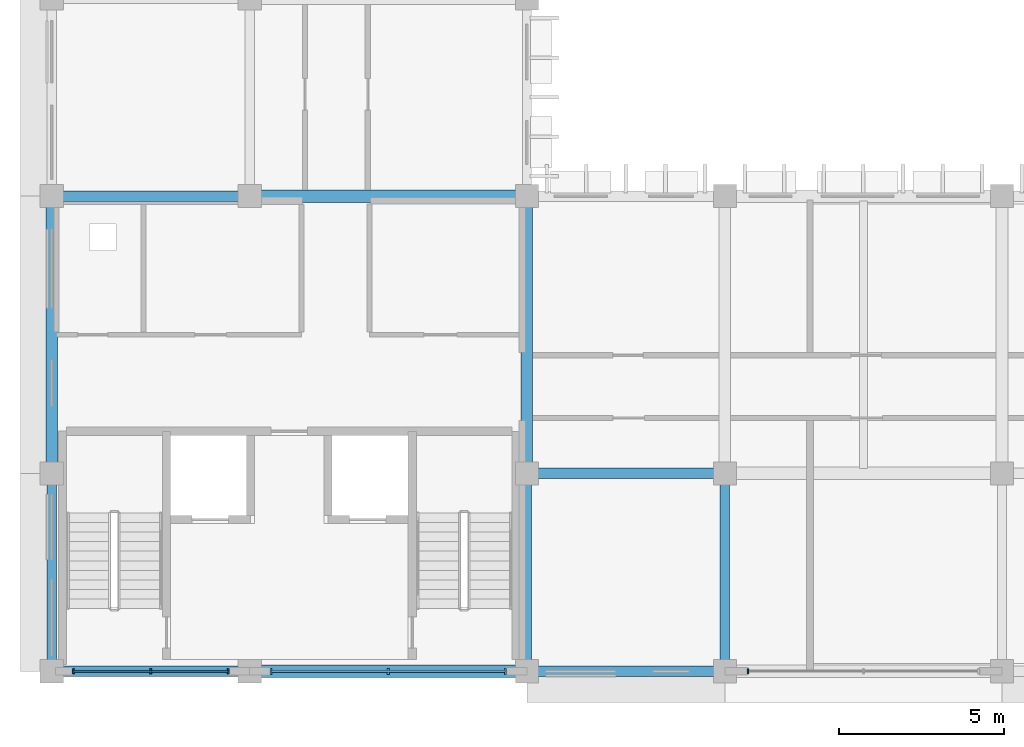
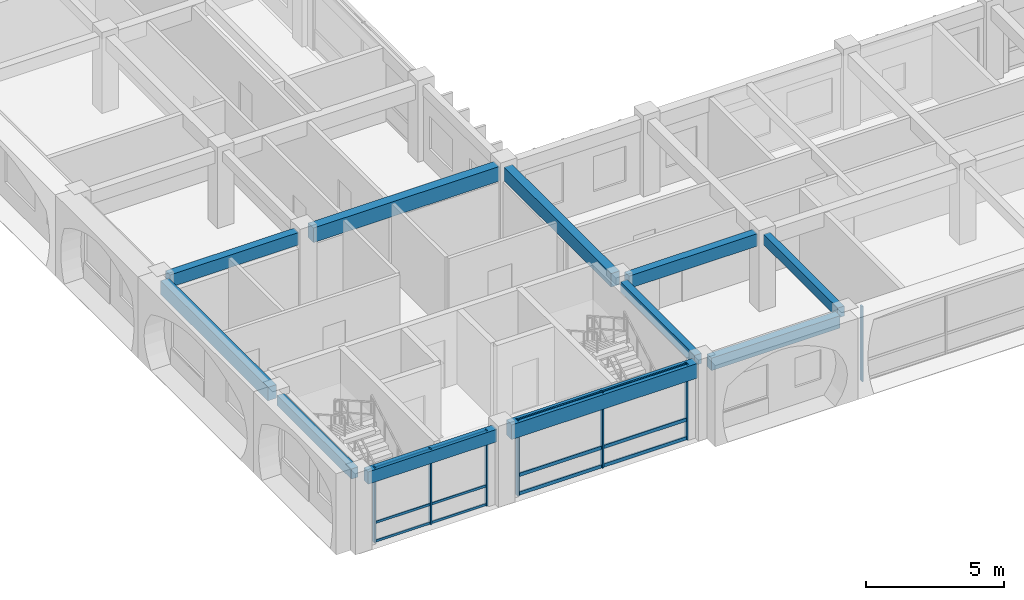
# One storey, part 12 of 88: 13 members, 11 beams, 3 elements without a shape of their own.
"""IFC4 building model written with IfcOpenShell, lengths in metres."""

from ifc_helpers import new_model, si_unit, direction, frame, origin, origin_2d, place, context, subcontext, project, spatial, rectangle, extrude, material, material_profile, profile_set, type_object, element, aggregate, save


model = new_model("IFC4")

# Units and contexts
model_context = context("Model", 3, precision=1e-05, world=origin(), true_north=direction((0.0, 1.0)))
body_context = subcontext(model_context, "Body", "Model", "MODEL_VIEW")
ifc_project = project(units=[si_unit("LENGTHUNIT", "METRE"), si_unit("AREAUNIT", "SQUARE_METRE"), si_unit("VOLUMEUNIT", "CUBIC_METRE"), si_unit("PLANEANGLEUNIT", "RADIAN"), si_unit("MASSUNIT", "GRAM", prefix="KILO"), si_unit("THERMODYNAMICTEMPERATUREUNIT", "KELVIN")], contexts=[model_context])

# Site, building, storey
site_placement = place(None, origin())
site = spatial("IfcSite", under=ifc_project, at=site_placement, CompositionType="ELEMENT")
building_placement = place(site_placement, origin())
building = spatial("IfcBuilding", under=site, at=building_placement, Name="Thalorik Housing Commons", CompositionType="ELEMENT")
storey_placement = place(building_placement, frame((0.0, 0.0, 4.5)))
storey = spatial("IfcBuildingStorey", under=building, at=storey_placement, Name="L01", CompositionType="ELEMENT", Elevation=4.5)

# Curtain wall, members
ifc_material_1 = material(Name="Anodised aluminium and solar-control low-E glass", Category="aluminium")
curtain_wall_type_1 = type_object("IfcCurtainWallType", Name="ARC-CW-CORE", PredefinedType="USERDEFINED", material=ifc_material_1)
curtain_wall_1_placement = place(storey_placement, origin())
curtain_wall_1 = element("IfcCurtainWall", 1, at=curtain_wall_1_placement, inside=storey, type_object=curtain_wall_type_1, Name="L01 Curtain Wall CW-CORE-L01-C-130", ObjectType="CURTAIN WALL", PredefinedType="USERDEFINED")
ifc_material_2 = material(Name="Anodised aluminium 6063-T6", Category="aluminium")
ifc_material_profile_1 = material_profile(ifc_material_2, rectangle(XDim=0.054931640625, YDim=0.139892578125, at=origin_2d()), Name="ALU MUL 55x140", Category="aluminium")
ifc_profile_set_1 = profile_set([ifc_material_profile_1], Name="Anodised aluminium 6063-T6")
member_type_1 = type_object("IfcMemberType", Name="ARC-CW-MUL-55x140", PredefinedType="MULLION", material=ifc_profile_set_1)
member_1_placement = place(storey_placement, frame((9.050048828125, 8.39990234375, 0.0), z_axis=(0.0, 0.0, 1.0), x_axis=(1.0, 0.0, 0.0)))
member_1 = element("IfcMember", 2, at=member_1_placement, type_object=member_type_1, Name="CW-CORE-L01-C-130 Mullion 1", PredefinedType="MULLION", context=body_context, shape_type="SweptSolid", body=[
    extrude(rectangle(XDim=0.054931640625, YDim=0.139892578125, at=origin_2d()), origin(), (0.0, 0.0, 1.0), 3.340087890625),
])
member_2_placement = place(storey_placement, frame((11.39990234375, 8.39990234375, 0.0), z_axis=(0.0, 0.0, 1.0), x_axis=(1.0, 0.0, 0.0)))
member_2 = element("IfcMember", 3, at=member_2_placement, type_object=member_type_1, Name="CW-CORE-L01-C-130 Mullion 2", PredefinedType="MULLION", context=body_context, shape_type="SweptSolid", body=[
    extrude(rectangle(XDim=0.054931640625, YDim=0.139892578125, at=origin_2d()), origin(), (0.0, 0.0, 1.0), 3.340087890625),
])
member_3_placement = place(storey_placement, frame((13.75, 8.39990234375, 0.0), z_axis=(0.0, 0.0, 1.0), x_axis=(1.0, 0.0, 0.0)))
member_3 = element("IfcMember", 4, at=member_3_placement, type_object=member_type_1, Name="CW-CORE-L01-C-130 Mullion 3", PredefinedType="MULLION", context=body_context, shape_type="SweptSolid", body=[
    extrude(rectangle(XDim=0.054931640625, YDim=0.139892578125, at=origin_2d()), origin(), (0.0, 0.0, 1.0), 3.340087890625),
])

# Curtain wall, member
curtain_wall_type_2 = type_object("IfcCurtainWallType", Name="ARC-CW-LOUNGE", PredefinedType="USERDEFINED", material=ifc_material_1)
curtain_wall_2_placement = place(storey_placement, origin())
curtain_wall_2 = element("IfcCurtainWall", 5, at=curtain_wall_2_placement, inside=storey, type_object=curtain_wall_type_2, Name="L01 Curtain Wall CW-RES-L01-C-132", ObjectType="CURTAIN WALL", PredefinedType="USERDEFINED")
member_4_placement = place(storey_placement, frame((29.5, 8.39990234375, 0.0), z_axis=(0.0, 0.0, 1.0), x_axis=(1.0, 0.0, 0.0)))
member_4 = element("IfcMember", 6, at=member_4_placement, type_object=member_type_1, Name="CW-RES-L01-C-132 Mullion 1", PredefinedType="MULLION", context=body_context, shape_type="SweptSolid", body=[
    extrude(rectangle(XDim=0.054931640625, YDim=0.139892578125, at=origin_2d()), origin(), (0.0, 0.0, 1.0), 3.340087890625),
])
aggregate(curtain_wall_2, [member_4])

# Curtain wall, members
curtain_wall_3_placement = place(storey_placement, origin())
curtain_wall_3 = element("IfcCurtainWall", 7, at=curtain_wall_3_placement, inside=storey, type_object=curtain_wall_type_1, Name="L01 Curtain Wall CW-CORE-L01-C-131", ObjectType="CURTAIN WALL", PredefinedType="USERDEFINED")
ifc_material_profile_2 = material_profile(ifc_material_2, rectangle(XDim=0.06494140625, YDim=0.179931640625, at=origin_2d()), Name="ALU MUL 65x180", Category="aluminium")
ifc_profile_set_2 = profile_set([ifc_material_profile_2], Name="Anodised aluminium 6063-T6")
member_type_2 = type_object("IfcMemberType", Name="ARC-CW-MUL-65x180", PredefinedType="MULLION", material=ifc_profile_set_2)
member_5_placement = place(storey_placement, frame((15.050048828125, 8.39990234375, 0.0), z_axis=(0.0, 0.0, 1.0), x_axis=(1.0, 0.0, 0.0)))
member_5 = element("IfcMember", 8, at=member_5_placement, type_object=member_type_2, Name="CW-CORE-L01-C-131 Mullion 1", PredefinedType="MULLION", context=body_context, shape_type="SweptSolid", body=[
    extrude(rectangle(XDim=0.06494140625, YDim=0.179931640625, at=origin_2d()), origin(), (0.0, 0.0, 1.0), 3.340087890625),
])
member_6_placement = place(storey_placement, frame((18.60009765625, 8.39990234375, 0.0), z_axis=(0.0, 0.0, 1.0), x_axis=(1.0, 0.0, 0.0)))
member_6 = element("IfcMember", 9, at=member_6_placement, type_object=member_type_2, Name="CW-CORE-L01-C-131 Mullion 2", PredefinedType="MULLION", context=body_context, shape_type="SweptSolid", body=[
    extrude(rectangle(XDim=0.06494140625, YDim=0.179931640625, at=origin_2d()), origin(), (0.0, 0.0, 1.0), 3.340087890625),
])
member_7_placement = place(storey_placement, frame((22.14990234375, 8.39990234375, 0.0), z_axis=(0.0, 0.0, 1.0), x_axis=(1.0, 0.0, 0.0)))
member_7 = element("IfcMember", 10, at=member_7_placement, type_object=member_type_2, Name="CW-CORE-L01-C-131 Mullion 3", PredefinedType="MULLION", context=body_context, shape_type="SweptSolid", body=[
    extrude(rectangle(XDim=0.06494140625, YDim=0.179931640625, at=origin_2d()), origin(), (0.0, 0.0, 1.0), 3.340087890625),
])

# Member
ifc_material_profile_3 = material_profile(ifc_material_2, rectangle(XDim=0.054931640625, YDim=0.10498046875, at=origin_2d()), Name="ALU TRN 55x105", Category="aluminium")
ifc_profile_set_3 = profile_set([ifc_material_profile_3], Name="Anodised aluminium 6063-T6")
member_type_3 = type_object("IfcMemberType", Name="ARC-CW-TRN-55x105", PredefinedType="USERDEFINED", material=ifc_profile_set_3)
member_8_placement = place(storey_placement, frame((9.050048828125, 8.39990234375, 0.054931640625), z_axis=(1.0, 0.0, 0.0), x_axis=(0.0, 1.0, 0.0)))
member_8 = element("IfcMember", 11, at=member_8_placement, type_object=member_type_3, Name="CW-CORE-L01-C-130 Transom 1", ObjectType="TRANSOM", PredefinedType="USERDEFINED", context=body_context, shape_type="SweptSolid", body=[
    extrude(rectangle(XDim=0.054931640625, YDim=0.10498046875, at=origin_2d()), origin(), (0.0, 0.0, 1.0), 4.699951171875),
])

member_9_placement = place(storey_placement, frame((9.050048828125, 8.39990234375, 0.8798828125), z_axis=(1.0, 0.0, 0.0), x_axis=(0.0, 1.0, 0.0)))
member_9 = element("IfcMember", 12, at=member_9_placement, type_object=member_type_3, Name="CW-CORE-L01-C-130 Transom 2", ObjectType="TRANSOM", PredefinedType="USERDEFINED", context=body_context, shape_type="SweptSolid", body=[
    extrude(rectangle(XDim=0.054931640625, YDim=0.10498046875, at=origin_2d()), origin(), (0.0, 0.0, 1.0), 4.699951171875),
])

member_10_placement = place(storey_placement, frame((9.050048828125, 8.39990234375, 3.284912109375), z_axis=(1.0, 0.0, 0.0), x_axis=(0.0, 1.0, 0.0)))
member_10 = element("IfcMember", 13, at=member_10_placement, type_object=member_type_3, Name="CW-CORE-L01-C-130 Transom 3", ObjectType="TRANSOM", PredefinedType="USERDEFINED", context=body_context, shape_type="SweptSolid", body=[
    extrude(rectangle(XDim=0.054931640625, YDim=0.10498046875, at=origin_2d()), origin(), (0.0, 0.0, 1.0), 4.699951171875),
])

aggregate(curtain_wall_1, [member_1, member_2, member_3, member_8, member_9, member_10])

ifc_material_profile_4 = material_profile(ifc_material_2, rectangle(XDim=0.06494140625, YDim=0.14990234375, at=origin_2d()), Name="ALU TRN 65x150", Category="aluminium")
ifc_profile_set_4 = profile_set([ifc_material_profile_4], Name="Anodised aluminium 6063-T6")
member_type_4 = type_object("IfcMemberType", Name="ARC-CW-TRN-65x150", PredefinedType="USERDEFINED", material=ifc_profile_set_4)
member_11_placement = place(storey_placement, frame((15.050048828125, 8.39990234375, 0.054931640625), z_axis=(1.0, 0.0, 0.0), x_axis=(0.0, 1.0, 0.0)))
member_11 = element("IfcMember", 14, at=member_11_placement, type_object=member_type_4, Name="CW-CORE-L01-C-131 Transom 1", ObjectType="TRANSOM", PredefinedType="USERDEFINED", context=body_context, shape_type="SweptSolid", body=[
    extrude(rectangle(XDim=0.06494140625, YDim=0.14990234375, at=origin_2d()), origin(), (0.0, 0.0, 1.0), 7.099853515625),
])

member_12_placement = place(storey_placement, frame((15.050048828125, 8.39990234375, 0.8798828125), z_axis=(1.0, 0.0, 0.0), x_axis=(0.0, 1.0, 0.0)))
member_12 = element("IfcMember", 15, at=member_12_placement, type_object=member_type_4, Name="CW-CORE-L01-C-131 Transom 2", ObjectType="TRANSOM", PredefinedType="USERDEFINED", context=body_context, shape_type="SweptSolid", body=[
    extrude(rectangle(XDim=0.06494140625, YDim=0.14990234375, at=origin_2d()), origin(), (0.0, 0.0, 1.0), 7.099853515625),
])

member_13_placement = place(storey_placement, frame((15.050048828125, 8.39990234375, 3.284912109375), z_axis=(1.0, 0.0, 0.0), x_axis=(0.0, 1.0, 0.0)))
member_13 = element("IfcMember", 16, at=member_13_placement, type_object=member_type_4, Name="CW-CORE-L01-C-131 Transom 3", ObjectType="TRANSOM", PredefinedType="USERDEFINED", context=body_context, shape_type="SweptSolid", body=[
    extrude(rectangle(XDim=0.06494140625, YDim=0.14990234375, at=origin_2d()), origin(), (0.0, 0.0, 1.0), 7.099853515625),
])

aggregate(curtain_wall_3, [member_5, member_6, member_7, member_11, member_12, member_13])

# Beams
ifc_material_3 = material(Name="Precast concrete C40/50", Category="concrete")
ifc_material_profile_5 = material_profile(ifc_material_3, rectangle(XDim=0.280029296875, YDim=0.449951171875, at=origin_2d()), Name="PC 280x450", Category="concrete")
ifc_profile_set_5 = profile_set([ifc_material_profile_5], Name="Precast concrete C40/50")
beam_type_1 = type_object("IfcBeamType", Name="STR-BM-PC280x450", PredefinedType="BEAM", material=ifc_profile_set_5)
for number, where, z_axis, x_axis, name in (
    (17, (8.39990234375, 8.699951171875, 3.114990234375), (0.0, 1.0, 0.0), (-1.0, 0.0, 0.0), "L01 Beam B-450"),
    (18, (22.800048828125, 8.699951171875, 3.114990234375), (0.0, 1.0, 0.0), (-1.0, 0.0, 0.0), "L01 Beam B-450"),
    (19, (28.800048828125, 8.699951171875, 3.114990234375), (0.0, 1.0, 0.0), (-1.0, 0.0, 0.0), "L01 Beam B-450"),
):
    element("IfcBeam", number, at=place(storey_placement, frame(where, z_axis=z_axis, x_axis=x_axis)), inside=storey, type_object=beam_type_1, Name=name, PredefinedType="BEAM", context=body_context, shape_type="SweptSolid", body=[
        extrude(rectangle(XDim=0.280029296875, YDim=0.449951171875, at=origin_2d()), origin(), (0.0, 0.0, 1.0), 5.400146484375),
    ])
ifc_material_profile_6 = material_profile(ifc_material_3, rectangle(XDim=0.320068359375, YDim=0.550048828125, at=origin_2d()), Name="PC 320x550", Category="concrete")
ifc_profile_set_6 = profile_set([ifc_material_profile_6], Name="Precast concrete C40/50")
beam_type_2 = type_object("IfcBeamType", Name="STR-BM-PC320x550", PredefinedType="BEAM", material=ifc_profile_set_6)
beam_1_placement = place(storey_placement, frame((8.699951171875, 8.39990234375, 3.06494140625), z_axis=(1.0, 0.0, 0.0), x_axis=(0.0, 1.0, 0.0)))
element("IfcBeam", 20, at=beam_1_placement, inside=storey, type_object=beam_type_2, Name="L01 Beam B-550", PredefinedType="BEAM", context=body_context, shape_type="SweptSolid", body=[
    extrude(rectangle(XDim=0.320068359375, YDim=0.550048828125, at=origin_2d()), origin(), (0.0, 0.0, 1.0), 5.400146484375),
])
for number, where, z_axis, x_axis, name in (
    (21, (23.10009765625, 8.39990234375, 3.06494140625), (1.0, 0.0, 0.0), (0.0, 1.0, 0.0), "L01 Beam B-550"),
    (22, (23.10009765625, 14.39990234375, 3.06494140625), (1.0, 0.0, 0.0), (0.0, 1.0, 0.0), "L01 Beam B-550"),
):
    element("IfcBeam", number, at=place(storey_placement, frame(where, z_axis=z_axis, x_axis=x_axis)), inside=storey, type_object=beam_type_2, Name=name, PredefinedType="BEAM", context=body_context, shape_type="SweptSolid", body=[
        extrude(rectangle(XDim=0.320068359375, YDim=0.550048828125, at=origin_2d()), origin(), (0.0, 0.0, 1.0), 5.39990234375),
    ])
beam_2_placement = place(storey_placement, frame((8.699951171875, 22.800048828125, 3.06494140625), z_axis=(1.0, 0.0, 0.0), x_axis=(0.0, 1.0, 0.0)))
element("IfcBeam", 23, at=beam_2_placement, inside=storey, type_object=beam_type_2, Name="L01 Beam B-550", PredefinedType="BEAM", context=body_context, shape_type="SweptSolid", body=[
    extrude(rectangle(XDim=0.320068359375, YDim=0.550048828125, at=origin_2d()), origin(), (0.0, 0.0, 1.0), 5.400146484375),
])
ifc_material_profile_7 = material_profile(ifc_material_3, rectangle(XDim=0.35009765625, YDim=0.60009765625, at=origin_2d()), Name="PC 350x600", Category="concrete")
ifc_profile_set_7 = profile_set([ifc_material_profile_7], Name="Precast concrete C40/50")
beam_type_3 = type_object("IfcBeamType", Name="STR-BM-PC350x600", PredefinedType="BEAM", material=ifc_profile_set_7)
for number, where, z_axis, x_axis, name in (
    (24, (8.39990234375, 14.699951171875, 3.0400390625), (0.0, 1.0, 0.0), (-1.0, 0.0, 0.0), "L01 Beam B-600"),
    (25, (22.800048828125, 14.699951171875, 3.0400390625), (0.0, 1.0, 0.0), (-1.0, 0.0, 0.0), "L01 Beam B-600"),
):
    element("IfcBeam", number, at=place(storey_placement, frame(where, z_axis=z_axis, x_axis=x_axis)), inside=storey, type_object=beam_type_3, Name=name, PredefinedType="BEAM", context=body_context, shape_type="SweptSolid", body=[
        extrude(rectangle(XDim=0.35009765625, YDim=0.60009765625, at=origin_2d()), origin(), (0.0, 0.0, 1.0), 7.800048828125),
    ])
ifc_material_profile_8 = material_profile(ifc_material_3, rectangle(XDim=0.3798828125, YDim=0.64990234375, at=origin_2d()), Name="PC 380x650", Category="concrete")
ifc_profile_set_8 = profile_set([ifc_material_profile_8], Name="Precast concrete C40/50")
beam_type_4 = type_object("IfcBeamType", Name="STR-BM-PC380x650", PredefinedType="BEAM", material=ifc_profile_set_8)
for number, where, z_axis, x_axis, name in (
    (26, (14.699951171875, 8.39990234375, 3.014892578125), (1.0, 0.0, 0.0), (0.0, 1.0, 0.0), "L01 Beam B-650"),
    (27, (14.699951171875, 22.800048828125, 3.014892578125), (1.0, 0.0, 0.0), (0.0, 1.0, 0.0), "L01 Beam B-650"),
):
    element("IfcBeam", number, at=place(storey_placement, frame(where, z_axis=z_axis, x_axis=x_axis)), inside=storey, type_object=beam_type_4, Name=name, PredefinedType="BEAM", context=body_context, shape_type="SweptSolid", body=[
        extrude(rectangle(XDim=0.3798828125, YDim=0.64990234375, at=origin_2d()), origin(), (0.0, 0.0, 1.0), 7.800048828125),
    ])

save(model, "model.ifc")
